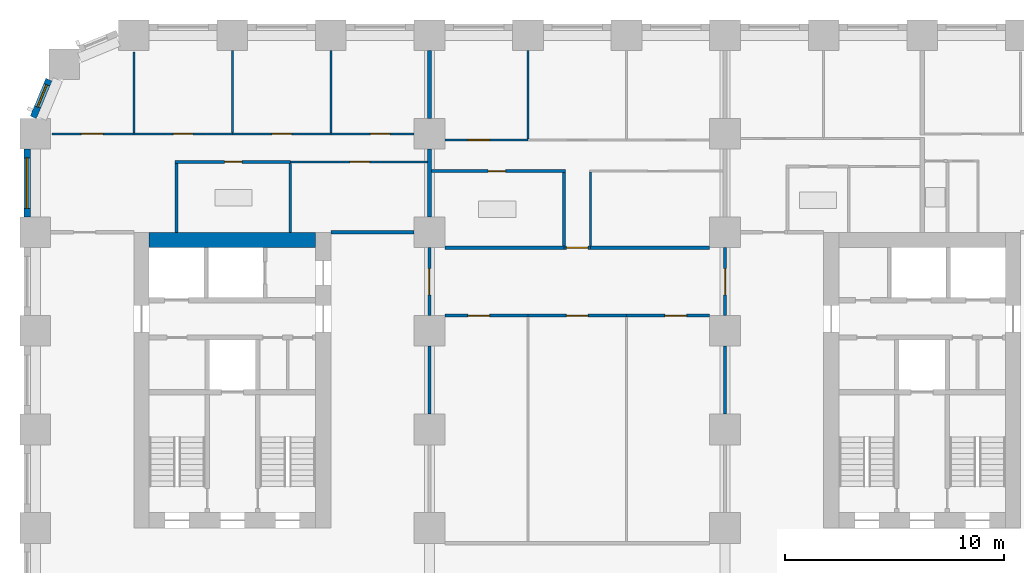
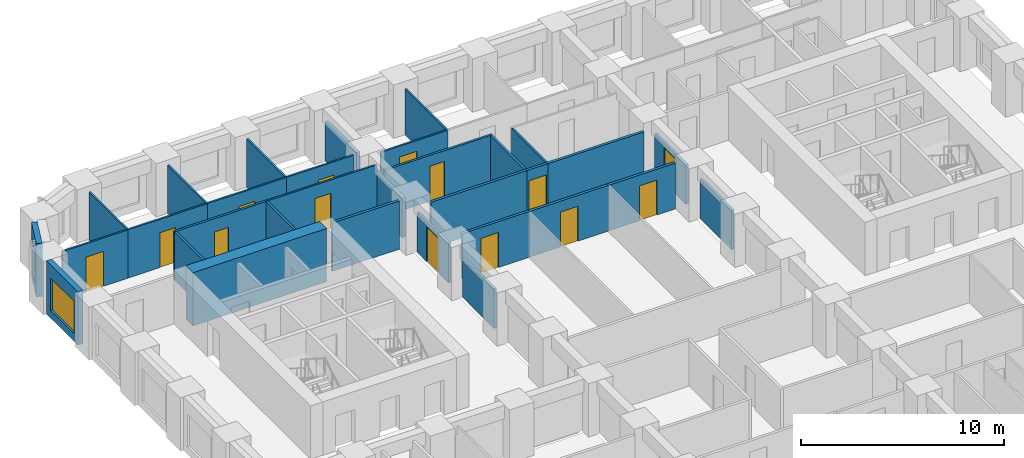
# One storey, part 7 of 13: 32 walls, 14 doors, 2 windows, 16 openings.
"""IFC4 building model written with IfcOpenShell, lengths in metres."""

from ifc_helpers import new_model, si_unit, direction, frame, frame_2d, origin, place, context, subcontext, project, spatial, rectangle, extrude, material, layer, layer_set, type_object, element, fill, save


model = new_model("IFC4")

# Units and contexts
model_context = context("Model", 3, precision=1e-05, world=origin(), true_north=direction((0.0, 1.0)))
body_context = subcontext(model_context, "Body", "Model", "MODEL_VIEW")
ifc_project = project(units=[si_unit("LENGTHUNIT", "METRE"), si_unit("AREAUNIT", "SQUARE_METRE"), si_unit("VOLUMEUNIT", "CUBIC_METRE"), si_unit("PLANEANGLEUNIT", "RADIAN"), si_unit("MASSUNIT", "GRAM", prefix="KILO")], contexts=[model_context])

# Site, building, storey
site_placement = place(None, origin())
site = spatial("IfcSite", under=ifc_project, at=site_placement, CompositionType="ELEMENT")
building_placement = place(site_placement, origin())
building = spatial("IfcBuilding", under=site, at=building_placement, Name="Girih Gate Residences", CompositionType="ELEMENT")
storey_placement = place(building_placement, frame((0.0, 0.0, 52.800048828125)))
storey = spatial("IfcBuildingStorey", under=building, at=storey_placement, Name="L13", CompositionType="ELEMENT", Elevation=52.800048828125)

# Walls
ifc_material_1 = material(Name="Gypsum board on steel studs", Category="steel")
ifc_layer_1 = layer(ifc_material_1, 0.14990234375)
ifc_layer_set_1 = layer_set([ifc_layer_1], Name="Compartment wall 150 mm")
wall_type_1 = type_object("IfcWallType", Name="Compartment wall 150 mm", PredefinedType="PARTITIONING", material=ifc_layer_set_1)
wall_1_placement = place(storey_placement, frame((13.5, 40.5, 0.0), z_axis=(0.0, 0.0, 1.0), x_axis=(1.0, 0.0, 0.0)))
element("IfcWall", 1, at=wall_1_placement, inside=storey, type_object=wall_type_1, Name="L13 partition", PredefinedType="PARTITIONING", context=body_context, shape_type="SweptSolid", body=[
    extrude(rectangle(XDim=3.800048828125, YDim=0.14990234375, at=frame_2d((1.89990234375, 0.0))), origin(), (0.0, 0.0, 1.0), 2.89990234375),
])
wall_2_placement = place(storey_placement, frame((18.699951171875, 39.800048828125, 0.0), z_axis=(0.0, 0.0, 1.0), x_axis=(1.0, 0.0, 0.0)))
element("IfcWall", 2, at=wall_2_placement, inside=storey, type_object=wall_type_1, Name="L13 partition", PredefinedType="PARTITIONING", context=body_context, shape_type="SweptSolid", body=[
    extrude(rectangle(XDim=5.449951171875, YDim=0.14990234375, at=frame_2d((2.72509765625, 0.0))), origin(), (0.0, 0.0, 1.0), 2.75),
])

# Wall, opening, door
wall_3_placement = place(storey_placement, frame((24.14990234375, 39.800048828125, 0.0), z_axis=(0.0, 0.0, 1.0), x_axis=(1.0, 0.0, 0.0)))
wall_3 = element("IfcWall", 3, at=wall_3_placement, inside=storey, type_object=wall_type_1, Name="L13 partition", PredefinedType="PARTITIONING", context=body_context, shape_type="SweptSolid", body=[
    extrude(rectangle(XDim=1.2001953125, YDim=0.14990234375, at=frame_2d((0.60009765625, 0.0))), origin(), (0.0, 0.0, 1.0), 2.75),
])
opening_1_placement = place(wall_3_placement, frame((0.10009765625, 0.0, 0.0)))
opening_1 = element("IfcOpeningElement", 4, at=opening_1_placement, cuts=wall_3, Name="Opening A13-044", PredefinedType="OPENING", context=body_context, shape_type="SweptSolid", body=[
    extrude(rectangle(XDim=1.0, YDim=2.10009765625, at=frame_2d((0.5, 1.050048828125))), frame((0.0, 0.0849609375, 0.0), z_axis=(0.0, -1.0, 0.0), x_axis=(1.0, 0.0, 0.0)), (0.0, 0.0, 1.0), 0.169921875),
])
ifc_material_2 = material(Name="Timber, fire-rated core", Category="wood")
door_type_1 = type_object("IfcDoorType", Name="Flat entrance door 1000x2100 FD30S", OperationType="NOTDEFINED", PredefinedType="DOOR", material=ifc_material_2)
door_1_placement = place(opening_1_placement, origin())
door_1 = element("IfcDoor", 5, at=door_1_placement, inside=storey, type_object=door_type_1, Name="Door A13-044", OperationType="SINGLE_SWING_RIGHT", OverallHeight=2.10009765625, OverallWidth=1.0, PredefinedType="DOOR", context=body_context, shape_type="SweptSolid", body=[
    extrude(rectangle(XDim=1.0, YDim=2.10009765625, at=frame_2d((0.5, 1.050048828125))), frame((0.0, 0.02490234375, 0.0), z_axis=(0.0, -1.0, 0.0), x_axis=(1.0, 0.0, 0.0)), (0.0, 0.0, 1.0), 0.050048828125),
])
fill(opening_1, door_1)

# Wall
wall_4_placement = place(storey_placement, frame((25.35009765625, 39.800048828125, 0.0), z_axis=(0.0, 0.0, 1.0), x_axis=(1.0, 0.0, 0.0)))
element("IfcWall", 6, at=wall_4_placement, inside=storey, type_object=wall_type_1, Name="L13 partition", PredefinedType="PARTITIONING", context=body_context, shape_type="SweptSolid", body=[
    extrude(rectangle(XDim=5.449951171875, YDim=0.14990234375, at=frame_2d((2.72509765625, 0.0))), origin(), (0.0, 0.0, 1.0), 2.75),
])

# Wall, opening, door
wall_5_placement = place(storey_placement, frame((22.5, 36.699951171875, 0.0), z_axis=(0.0, 0.0, 1.0), x_axis=(-1.0, 0.0, 0.0)))
wall_5 = element("IfcWall", 7, at=wall_5_placement, inside=storey, type_object=wall_type_1, Name="L13 partition", PredefinedType="PARTITIONING", context=body_context, shape_type="SweptSolid", body=[
    extrude(rectangle(XDim=3.800048828125, YDim=0.14990234375, at=frame_2d((1.89990234375, 0.0))), origin(), (0.0, 0.0, 1.0), 2.75),
])
opening_2_placement = place(wall_5_placement, frame((1.75, 0.0, 0.0)))
opening_2 = element("IfcOpeningElement", 8, at=opening_2_placement, cuts=wall_5, Name="Opening A13-045", PredefinedType="OPENING", context=body_context, shape_type="SweptSolid", body=[
    extrude(rectangle(XDim=1.0, YDim=2.10009765625, at=frame_2d((0.5, 1.050048828125))), frame((0.0, 0.0849609375, 0.0), z_axis=(0.0, -1.0, 0.0), x_axis=(1.0, 0.0, 0.0)), (0.0, 0.0, 1.0), 0.169921875),
])
door_type_2 = type_object("IfcDoorType", Name="Amenity room door 1000x2100 FD30S", OperationType="NOTDEFINED", PredefinedType="DOOR", material=ifc_material_2)
door_2_placement = place(opening_2_placement, origin())
door_2 = element("IfcDoor", 9, at=door_2_placement, inside=storey, type_object=door_type_2, Name="Door A13-045", OperationType="SINGLE_SWING_RIGHT", OverallHeight=2.10009765625, OverallWidth=1.0, PredefinedType="DOOR", context=body_context, shape_type="SweptSolid", body=[
    extrude(rectangle(XDim=1.0, YDim=2.10009765625, at=frame_2d((0.5, 1.050048828125))), frame((0.0, 0.02490234375, 0.0), z_axis=(0.0, -1.0, 0.0), x_axis=(1.0, 0.0, 0.0)), (0.0, 0.0, 1.0), 0.050048828125),
])
fill(opening_2, door_2)

wall_6_placement = place(storey_placement, frame((27.0, 36.699951171875, 0.0), z_axis=(0.0, 0.0, 1.0), x_axis=(-1.0, 0.0, 0.0)))
wall_6 = element("IfcWall", 10, at=wall_6_placement, inside=storey, type_object=wall_type_1, Name="L13 partition", PredefinedType="PARTITIONING", context=body_context, shape_type="SweptSolid", body=[
    extrude(rectangle(XDim=4.5, YDim=0.14990234375, at=frame_2d((2.25, 0.0))), origin(), (0.0, 0.0, 1.0), 2.75),
])
opening_3_placement = place(wall_6_placement, frame((1.75, 0.0, 0.0)))
opening_3 = element("IfcOpeningElement", 11, at=opening_3_placement, cuts=wall_6, Name="Opening A13-046", PredefinedType="OPENING", context=body_context, shape_type="SweptSolid", body=[
    extrude(rectangle(XDim=1.0, YDim=2.10009765625, at=frame_2d((0.5, 1.050048828125))), frame((0.0, 0.0849609375, 0.0), z_axis=(0.0, -1.0, 0.0), x_axis=(1.0, 0.0, 0.0)), (0.0, 0.0, 1.0), 0.169921875),
])
door_3_placement = place(opening_3_placement, origin())
door_3 = element("IfcDoor", 12, at=door_3_placement, inside=storey, type_object=door_type_2, Name="Door A13-046", OperationType="SINGLE_SWING_RIGHT", OverallHeight=2.10009765625, OverallWidth=1.0, PredefinedType="DOOR", context=body_context, shape_type="SweptSolid", body=[
    extrude(rectangle(XDim=1.0, YDim=2.10009765625, at=frame_2d((0.5, 1.050048828125))), frame((0.0, 0.02490234375, 0.0), z_axis=(0.0, -1.0, 0.0), x_axis=(1.0, 0.0, 0.0)), (0.0, 0.0, 1.0), 0.050048828125),
])
fill(opening_3, door_3)

wall_7_placement = place(storey_placement, frame((30.800048828125, 36.699951171875, 0.0), z_axis=(0.0, 0.0, 1.0), x_axis=(-1.0, 0.0, 0.0)))
wall_7 = element("IfcWall", 13, at=wall_7_placement, inside=storey, type_object=wall_type_1, Name="L13 partition", PredefinedType="PARTITIONING", context=body_context, shape_type="SweptSolid", body=[
    extrude(rectangle(XDim=3.800048828125, YDim=0.14990234375, at=frame_2d((1.89990234375, 0.0))), origin(), (0.0, 0.0, 1.0), 2.75),
])
opening_4_placement = place(wall_7_placement, frame((1.050048828125, 0.0, 0.0)))
opening_4 = element("IfcOpeningElement", 14, at=opening_4_placement, cuts=wall_7, Name="Opening A13-047", PredefinedType="OPENING", context=body_context, shape_type="SweptSolid", body=[
    extrude(rectangle(XDim=1.0, YDim=2.10009765625, at=frame_2d((0.5, 1.050048828125))), frame((0.0, 0.0849609375, 0.0), z_axis=(0.0, -1.0, 0.0), x_axis=(1.0, 0.0, 0.0)), (0.0, 0.0, 1.0), 0.169921875),
])
door_4_placement = place(opening_4_placement, origin())
door_4 = element("IfcDoor", 15, at=door_4_placement, inside=storey, type_object=door_type_2, Name="Door A13-047", OperationType="SINGLE_SWING_LEFT", OverallHeight=2.10009765625, OverallWidth=1.0, PredefinedType="DOOR", context=body_context, shape_type="SweptSolid", body=[
    extrude(rectangle(XDim=1.0, YDim=2.10009765625, at=frame_2d((0.5, 1.050048828125))), frame((0.0, 0.02490234375, 0.0), z_axis=(0.0, -1.0, 0.0), x_axis=(1.0, 0.0, 0.0)), (0.0, 0.0, 1.0), 0.050048828125),
])
fill(opening_4, door_4)

wall_8_placement = place(storey_placement, frame((31.5, 36.699951171875, 0.0), z_axis=(0.0, 0.0, 1.0), x_axis=(0.0, 1.0, 0.0)))
wall_8 = element("IfcWall", 16, at=wall_8_placement, inside=storey, type_object=wall_type_1, Name="L13 partition", PredefinedType="PARTITIONING", context=body_context, shape_type="SweptSolid", body=[
    extrude(rectangle(XDim=3.10009765625, YDim=0.14990234375, at=frame_2d((1.550048828125, 0.0))), origin(), (0.0, 0.0, 1.0), 2.3798828125),
])
opening_5_placement = place(wall_8_placement, frame((0.949951171875, 0.0, 0.0)))
opening_5 = element("IfcOpeningElement", 17, at=opening_5_placement, cuts=wall_8, Name="Opening A13-048", PredefinedType="OPENING", context=body_context, shape_type="SweptSolid", body=[
    extrude(rectangle(XDim=1.199951171875, YDim=2.10009765625, at=frame_2d((0.60009765625, 1.050048828125))), frame((0.0, 0.0849609375, 0.0), z_axis=(0.0, -1.0, 0.0), x_axis=(1.0, 0.0, 0.0)), (0.0, 0.0, 1.0), 0.169921875),
])
door_type_3 = type_object("IfcDoorType", Name="Corridor fire door 1200x2100 FD30S", OperationType="NOTDEFINED", PredefinedType="DOOR", material=ifc_material_2)
door_5_placement = place(opening_5_placement, origin())
door_5 = element("IfcDoor", 18, at=door_5_placement, inside=storey, type_object=door_type_3, Name="Door A13-048", OperationType="SINGLE_SWING_LEFT", OverallHeight=2.10009765625, OverallWidth=1.199951171875, PredefinedType="DOOR", context=body_context, shape_type="SweptSolid", body=[
    extrude(rectangle(XDim=1.199951171875, YDim=2.10009765625, at=frame_2d((0.60009765625, 1.050048828125))), frame((0.0, 0.02490234375, 0.0), z_axis=(0.0, -1.0, 0.0), x_axis=(1.0, 0.0, 0.0)), (0.0, 0.0, 1.0), 0.050048828125),
])
fill(opening_5, door_5)

wall_9_placement = place(storey_placement, frame((18.0, 39.800048828125, 0.0), z_axis=(0.0, 0.0, 1.0), x_axis=(0.0, -1.0, 0.0)))
wall_9 = element("IfcWall", 19, at=wall_9_placement, inside=storey, type_object=wall_type_1, Name="L13 partition", PredefinedType="PARTITIONING", context=body_context, shape_type="SweptSolid", body=[
    extrude(rectangle(XDim=3.10009765625, YDim=0.14990234375, at=frame_2d((1.550048828125, 0.0))), origin(), (0.0, 0.0, 1.0), 2.3798828125),
])
opening_6_placement = place(wall_9_placement, frame((0.949951171875, 0.0, 0.0)))
opening_6 = element("IfcOpeningElement", 20, at=opening_6_placement, cuts=wall_9, Name="Opening A13-049", PredefinedType="OPENING", context=body_context, shape_type="SweptSolid", body=[
    extrude(rectangle(XDim=1.199951171875, YDim=2.10009765625, at=frame_2d((0.60009765625, 1.050048828125))), frame((0.0, 0.0849609375, 0.0), z_axis=(0.0, -1.0, 0.0), x_axis=(1.0, 0.0, 0.0)), (0.0, 0.0, 1.0), 0.169921875),
])
door_6_placement = place(opening_6_placement, origin())
door_6 = element("IfcDoor", 21, at=door_6_placement, inside=storey, type_object=door_type_3, Name="Door A13-049", OperationType="SINGLE_SWING_LEFT", OverallHeight=2.10009765625, OverallWidth=1.199951171875, PredefinedType="DOOR", context=body_context, shape_type="SweptSolid", body=[
    extrude(rectangle(XDim=1.199951171875, YDim=2.10009765625, at=frame_2d((0.60009765625, 1.050048828125))), frame((0.0, 0.02490234375, 0.0), z_axis=(0.0, -1.0, 0.0), x_axis=(1.0, 0.0, 0.0)), (0.0, 0.0, 1.0), 0.050048828125),
])
fill(opening_6, door_6)

# Walls
for number, where, z_axis, x_axis, name in (
    (22, (18.0, 32.199951171875, 0.0), (0.0, 0.0, 1.0), (0.0, 1.0, 0.0), "L13 partition"),
    (23, (31.5, 32.199951171875, 0.0), (0.0, 0.0, 1.0), (0.0, 1.0, 0.0), "L13 partition"),
):
    element("IfcWall", number, at=place(storey_placement, frame(where, z_axis=z_axis, x_axis=x_axis)), inside=storey, type_object=wall_type_1, Name=name, PredefinedType="PARTITIONING", context=body_context, shape_type="SweptSolid", body=[
        extrude(rectangle(XDim=3.10009765625, YDim=0.14990234375, at=frame_2d((1.550048828125, 0.0))), origin(), (0.0, 0.0, 1.0), 2.3798828125),
    ])
ifc_material_3 = material(Name="Concrete C60/75", Category="concrete")
ifc_layer_2 = layer(ifc_material_3, 0.699951171875)
ifc_layer_set_2 = layer_set([ifc_layer_2], Name="Core wall RC 700 Concrete C60/75")
wall_type_2 = type_object("IfcWallType", Name="Core wall RC 700 Concrete C60/75", PredefinedType="SOLIDWALL", material=ifc_layer_set_2)
wall_10_placement = place(storey_placement, frame((5.199951171875, 40.14990234375, 0.0), z_axis=(0.0, 0.0, 1.0), x_axis=(1.0, 0.0, 0.0)))
element("IfcWall", 24, at=wall_10_placement, inside=storey, type_object=wall_type_2, Name="Core wall W-N L13", PredefinedType="SOLIDWALL", context=body_context, shape_type="SweptSolid", body=[
    extrude(rectangle(XDim=7.60009765625, YDim=0.699951171875, at=frame_2d((3.800048828125, 0.0))), origin(), (0.0, 0.0, 1.0), 3.199951171875),
])
ifc_layer_3 = layer(ifc_material_1, 0.10009765625)
ifc_layer_set_3 = layer_set([ifc_layer_3], Name="Partition 100 mm")
wall_type_3 = type_object("IfcWallType", Name="Partition 100 mm", PredefinedType="PARTITIONING", material=ifc_layer_set_3)
wall_11_placement = place(storey_placement, frame((9.0, 45.050048828125, 0.0), z_axis=(0.0, 0.0, 1.0), x_axis=(0.0, 1.0, 0.0)))
element("IfcWall", 25, at=wall_11_placement, inside=storey, type_object=wall_type_3, Name="L13 partition", PredefinedType="PARTITIONING", context=body_context, shape_type="SweptSolid", body=[
    extrude(rectangle(XDim=3.75, YDim=0.10009765625, at=frame_2d((1.875, 0.0))), origin(), (0.0, 0.0, 1.0), 2.89990234375),
])

# Wall, opening, door
wall_12_placement = place(storey_placement, frame((4.5, 45.0, 0.0), z_axis=(0.0, 0.0, 1.0), x_axis=(1.0, 0.0, 0.0)))
wall_12 = element("IfcWall", 26, at=wall_12_placement, inside=storey, type_object=wall_type_3, Name="L13 partition", PredefinedType="PARTITIONING", context=body_context, shape_type="SweptSolid", body=[
    extrude(rectangle(XDim=4.5, YDim=0.10009765625, at=frame_2d((2.25, 0.0))), origin(), (0.0, 0.0, 1.0), 2.89990234375),
])
opening_7_placement = place(wall_12_placement, frame((1.800048828125, 0.0, 0.0)))
opening_7 = element("IfcOpeningElement", 27, at=opening_7_placement, cuts=wall_12, Name="Opening A13-011", PredefinedType="OPENING", context=body_context, shape_type="SweptSolid", body=[
    extrude(rectangle(XDim=0.89990234375, YDim=2.10009765625, at=frame_2d((0.449951171875, 1.050048828125))), frame((0.0, 0.06005859375, 0.0), z_axis=(0.0, -1.0, 0.0), x_axis=(1.0, 0.0, 0.0)), (0.0, 0.0, 1.0), 0.1201171875),
])
ifc_material_4 = material(Name="Timber", Category="wood")
door_type_4 = type_object("IfcDoorType", Name="Bedroom door 900x2100", OperationType="NOTDEFINED", PredefinedType="DOOR", material=ifc_material_4)
door_7_placement = place(opening_7_placement, origin())
door_7 = element("IfcDoor", 28, at=door_7_placement, inside=storey, type_object=door_type_4, Name="Door A13-011", OperationType="SINGLE_SWING_RIGHT", OverallHeight=2.10009765625, OverallWidth=0.89990234375, PredefinedType="DOOR", context=body_context, shape_type="SweptSolid", body=[
    extrude(rectangle(XDim=0.89990234375, YDim=2.10009765625, at=frame_2d((0.449951171875, 1.050048828125))), frame((0.0, 0.02490234375, 0.0), z_axis=(0.0, -1.0, 0.0), x_axis=(1.0, 0.0, 0.0)), (0.0, 0.0, 1.0), 0.050048828125),
])
fill(opening_7, door_7)

# Walls
wall_13_placement = place(storey_placement, frame((4.5, 45.050048828125, 0.0), z_axis=(0.0, 0.0, 1.0), x_axis=(0.0, 1.0, 0.0)))
element("IfcWall", 29, at=wall_13_placement, inside=storey, type_object=wall_type_3, Name="L13 partition", PredefinedType="PARTITIONING", context=body_context, shape_type="SweptSolid", body=[
    extrude(rectangle(XDim=3.6923828125, YDim=0.10009765625, at=frame_2d((1.84619140625, 0.0))), origin(), (0.0, 0.0, 1.0), 2.89990234375),
])
wall_14_placement = place(storey_placement, frame((13.5, 45.050048828125, 0.0), z_axis=(0.0, 0.0, 1.0), x_axis=(0.0, 1.0, 0.0)))
element("IfcWall", 30, at=wall_14_placement, inside=storey, type_object=wall_type_3, Name="L13 partition", PredefinedType="PARTITIONING", context=body_context, shape_type="SweptSolid", body=[
    extrude(rectangle(XDim=3.75, YDim=0.10009765625, at=frame_2d((1.875, 0.0))), origin(), (0.0, 0.0, 1.0), 2.89990234375),
])

# Wall, opening, door
wall_15_placement = place(storey_placement, frame((9.0, 45.0, 0.0), z_axis=(0.0, 0.0, 1.0), x_axis=(1.0, 0.0, 0.0)))
wall_15 = element("IfcWall", 31, at=wall_15_placement, inside=storey, type_object=wall_type_3, Name="L13 partition", PredefinedType="PARTITIONING", context=body_context, shape_type="SweptSolid", body=[
    extrude(rectangle(XDim=4.5, YDim=0.10009765625, at=frame_2d((2.25, 0.0))), origin(), (0.0, 0.0, 1.0), 2.89990234375),
])
opening_8_placement = place(wall_15_placement, frame((1.800048828125, 0.0, 0.0)))
opening_8 = element("IfcOpeningElement", 32, at=opening_8_placement, cuts=wall_15, Name="Opening A13-012", PredefinedType="OPENING", context=body_context, shape_type="SweptSolid", body=[
    extrude(rectangle(XDim=0.89990234375, YDim=2.10009765625, at=frame_2d((0.449951171875, 1.050048828125))), frame((0.0, 0.06005859375, 0.0), z_axis=(0.0, -1.0, 0.0), x_axis=(1.0, 0.0, 0.0)), (0.0, 0.0, 1.0), 0.1201171875),
])
door_8_placement = place(opening_8_placement, origin())
door_8 = element("IfcDoor", 33, at=door_8_placement, inside=storey, type_object=door_type_4, Name="Door A13-012", OperationType="SINGLE_SWING_LEFT", OverallHeight=2.10009765625, OverallWidth=0.89990234375, PredefinedType="DOOR", context=body_context, shape_type="SweptSolid", body=[
    extrude(rectangle(XDim=0.89990234375, YDim=2.10009765625, at=frame_2d((0.449951171875, 1.050048828125))), frame((0.0, 0.02490234375, 0.0), z_axis=(0.0, -1.0, 0.0), x_axis=(1.0, 0.0, 0.0)), (0.0, 0.0, 1.0), 0.050048828125),
])
fill(opening_8, door_8)

wall_16_placement = place(storey_placement, frame((13.5, 45.0, 0.0), z_axis=(0.0, 0.0, 1.0), x_axis=(1.0, 0.0, 0.0)))
wall_16 = element("IfcWall", 34, at=wall_16_placement, inside=storey, type_object=wall_type_3, Name="L13 partition", PredefinedType="PARTITIONING", context=body_context, shape_type="SweptSolid", body=[
    extrude(rectangle(XDim=3.800048828125, YDim=0.10009765625, at=frame_2d((1.89990234375, 0.0))), origin(), (0.0, 0.0, 1.0), 2.89990234375),
])
opening_9_placement = place(wall_16_placement, frame((1.800048828125, 0.0, 0.0)))
opening_9 = element("IfcOpeningElement", 35, at=opening_9_placement, cuts=wall_16, Name="Opening A13-013", PredefinedType="OPENING", context=body_context, shape_type="SweptSolid", body=[
    extrude(rectangle(XDim=0.89990234375, YDim=2.10009765625, at=frame_2d((0.449951171875, 1.050048828125))), frame((0.0, 0.06005859375, 0.0), z_axis=(0.0, -1.0, 0.0), x_axis=(1.0, 0.0, 0.0)), (0.0, 0.0, 1.0), 0.1201171875),
])
door_9_placement = place(opening_9_placement, origin())
door_9 = element("IfcDoor", 36, at=door_9_placement, inside=storey, type_object=door_type_4, Name="Door A13-013", OperationType="SINGLE_SWING_RIGHT", OverallHeight=2.10009765625, OverallWidth=0.89990234375, PredefinedType="DOOR", context=body_context, shape_type="SweptSolid", body=[
    extrude(rectangle(XDim=0.89990234375, YDim=2.10009765625, at=frame_2d((0.449951171875, 1.050048828125))), frame((0.0, 0.02490234375, 0.0), z_axis=(0.0, -1.0, 0.0), x_axis=(1.0, 0.0, 0.0)), (0.0, 0.0, 1.0), 0.050048828125),
])
fill(opening_9, door_9)

wall_17_placement = place(storey_placement, frame((17.89990234375, 43.719970703125, 0.0), z_axis=(0.0, 0.0, 1.0), x_axis=(-1.0, 0.0, 0.0)))
wall_17 = element("IfcWall", 37, at=wall_17_placement, inside=storey, type_object=wall_type_3, Name="L13 partition", PredefinedType="PARTITIONING", context=body_context, shape_type="SweptSolid", body=[
    extrude(rectangle(XDim=6.2548828125, YDim=0.10009765625, at=frame_2d((3.12744140625, 0.0))), origin(), (0.0, 0.0, 1.0), 2.89990234375),
])
opening_10_placement = place(wall_17_placement, frame((2.62744140625, 0.0, 0.0)))
opening_10 = element("IfcOpeningElement", 38, at=opening_10_placement, cuts=wall_17, Name="Opening A13-014", PredefinedType="OPENING", context=body_context, shape_type="SweptSolid", body=[
    extrude(rectangle(XDim=0.89990234375, YDim=2.10009765625, at=frame_2d((0.449951171875, 1.050048828125))), frame((0.0, 0.06005859375, 0.0), z_axis=(0.0, -1.0, 0.0), x_axis=(1.0, 0.0, 0.0)), (0.0, 0.0, 1.0), 0.1201171875),
])
door_type_5 = type_object("IfcDoorType", Name="Kitchen door 900x2100", OperationType="NOTDEFINED", PredefinedType="DOOR", material=ifc_material_4)
door_10_placement = place(opening_10_placement, origin())
door_10 = element("IfcDoor", 39, at=door_10_placement, inside=storey, type_object=door_type_5, Name="Door A13-014", OperationType="SINGLE_SWING_LEFT", OverallHeight=2.10009765625, OverallWidth=0.89990234375, PredefinedType="DOOR", context=body_context, shape_type="SweptSolid", body=[
    extrude(rectangle(XDim=0.89990234375, YDim=2.10009765625, at=frame_2d((0.449951171875, 1.050048828125))), frame((0.0, 0.02490234375, 0.0), z_axis=(0.0, -1.0, 0.0), x_axis=(1.0, 0.0, 0.0)), (0.0, 0.0, 1.0), 0.050048828125),
])
fill(opening_10, door_10)

wall_18_placement = place(storey_placement, frame((0.757568359375, 45.0, 0.0), z_axis=(0.0, 0.0, 1.0), x_axis=(1.0, 0.0, 0.0)))
wall_18 = element("IfcWall", 40, at=wall_18_placement, inside=storey, type_object=wall_type_3, Name="L13 partition", PredefinedType="PARTITIONING", context=body_context, shape_type="SweptSolid", body=[
    extrude(rectangle(XDim=3.742431640625, YDim=0.10009765625, at=frame_2d((1.87109375, 0.0))), origin(), (0.0, 0.0, 1.0), 2.89990234375),
])
opening_11_placement = place(wall_18_placement, frame((1.34228515625, 0.0, 0.0)))
opening_11 = element("IfcOpeningElement", 41, at=opening_11_placement, cuts=wall_18, Name="Opening A13-015", PredefinedType="OPENING", context=body_context, shape_type="SweptSolid", body=[
    extrude(rectangle(XDim=1.0, YDim=2.10009765625, at=frame_2d((0.5, 1.050048828125))), frame((0.0, 0.06005859375, 0.0), z_axis=(0.0, -1.0, 0.0), x_axis=(1.0, 0.0, 0.0)), (0.0, 0.0, 1.0), 0.1201171875),
])
door_type_6 = type_object("IfcDoorType", Name="Living room door 1000x2100", OperationType="NOTDEFINED", PredefinedType="DOOR", material=ifc_material_4)
door_11_placement = place(opening_11_placement, origin())
door_11 = element("IfcDoor", 42, at=door_11_placement, inside=storey, type_object=door_type_6, Name="Door A13-015", OperationType="SINGLE_SWING_LEFT", OverallHeight=2.10009765625, OverallWidth=1.0, PredefinedType="DOOR", context=body_context, shape_type="SweptSolid", body=[
    extrude(rectangle(XDim=1.0, YDim=2.10009765625, at=frame_2d((0.5, 1.050048828125))), frame((0.0, 0.02490234375, 0.0), z_axis=(0.0, -1.0, 0.0), x_axis=(1.0, 0.0, 0.0)), (0.0, 0.0, 1.0), 0.050048828125),
])
fill(opening_11, door_11)

# Walls
wall_19_placement = place(storey_placement, frame((22.5, 44.77001953125, 0.0), z_axis=(0.0, 0.0, 1.0), x_axis=(0.0, 1.0, 0.0)))
element("IfcWall", 43, at=wall_19_placement, inside=storey, type_object=wall_type_3, Name="L13 partition", PredefinedType="PARTITIONING", context=body_context, shape_type="SweptSolid", body=[
    extrude(rectangle(XDim=4.030029296875, YDim=0.10009765625, at=frame_2d((2.01513671875, 0.0))), origin(), (0.0, 0.0, 1.0), 2.75),
])
wall_20_placement = place(storey_placement, frame((25.35009765625, 39.875, 0.0), z_axis=(0.0, 0.0, 1.0), x_axis=(0.0, 1.0, 0.0)))
element("IfcWall", 44, at=wall_20_placement, inside=storey, type_object=wall_type_3, Name="L13 partition", PredefinedType="PARTITIONING", context=body_context, shape_type="SweptSolid", body=[
    extrude(rectangle(XDim=3.375, YDim=0.10009765625, at=frame_2d((1.6875, 0.0))), origin(), (0.0, 0.0, 1.0), 2.75),
])

# Wall, opening, door
wall_21_placement = place(storey_placement, frame((18.699951171875, 44.719970703125, 0.0), z_axis=(0.0, 0.0, 1.0), x_axis=(1.0, 0.0, 0.0)))
wall_21 = element("IfcWall", 45, at=wall_21_placement, inside=storey, type_object=wall_type_3, Name="L13 partition", PredefinedType="PARTITIONING", context=body_context, shape_type="SweptSolid", body=[
    extrude(rectangle(XDim=3.800048828125, YDim=0.10009765625, at=frame_2d((1.89990234375, 0.0))), origin(), (0.0, 0.0, 1.0), 2.75),
])
opening_12_placement = place(wall_21_placement, frame((1.050048828125, 0.0, 0.0)))
opening_12 = element("IfcOpeningElement", 46, at=opening_12_placement, cuts=wall_21, Name="Opening A13-043", PredefinedType="OPENING", context=body_context, shape_type="SweptSolid", body=[
    extrude(rectangle(XDim=1.0, YDim=2.10009765625, at=frame_2d((0.5, 1.050048828125))), frame((0.0, 0.06005859375, 0.0), z_axis=(0.0, -1.0, 0.0), x_axis=(1.0, 0.0, 0.0)), (0.0, 0.0, 1.0), 0.1201171875),
])
door_12_placement = place(opening_12_placement, origin())
door_12 = element("IfcDoor", 47, at=door_12_placement, inside=storey, type_object=door_type_6, Name="Door A13-043", OperationType="SINGLE_SWING_LEFT", OverallHeight=2.10009765625, OverallWidth=1.0, PredefinedType="DOOR", context=body_context, shape_type="SweptSolid", body=[
    extrude(rectangle(XDim=1.0, YDim=2.10009765625, at=frame_2d((0.5, 1.050048828125))), frame((0.0, 0.02490234375, 0.0), z_axis=(0.0, -1.0, 0.0), x_axis=(1.0, 0.0, 0.0)), (0.0, 0.0, 1.0), 0.050048828125),
])
fill(opening_12, door_12)

# Walls
ifc_layer_4 = layer(ifc_material_1, 0.199951171875)
ifc_layer_set_4 = layer_set([ifc_layer_4], Name="Party wall 200 mm")
wall_type_4 = type_object("IfcWallType", Name="Party wall 200 mm", PredefinedType="PARTITIONING", material=ifc_layer_set_4)
for number, where, z_axis, x_axis, name in (
    (48, (18.0, 45.699951171875, 0.0), (0.0, 0.0, 1.0), (0.0, 1.0, 0.0), "L13 partition"),
    (49, (18.0, 41.199951171875, 0.0), (0.0, 0.0, 1.0), (0.0, 1.0, 0.0), "L13 partition"),
):
    element("IfcWall", number, at=place(storey_placement, frame(where, z_axis=z_axis, x_axis=x_axis)), inside=storey, type_object=wall_type_4, Name=name, PredefinedType="PARTITIONING", context=body_context, shape_type="SweptSolid", body=[
        extrude(rectangle(XDim=3.10009765625, YDim=0.199951171875, at=frame_2d((1.550048828125, 0.0))), origin(), (0.0, 0.0, 1.0), 2.3798828125),
    ])

# Wall, opening, window
ifc_material_5 = material(Name="Precast concrete C50/60", Category="concrete")
ifc_layer_5 = layer(ifc_material_5, 0.080078125, Name="Outer leaf")
ifc_material_6 = material(Name="Rigid PIR insulation")
ifc_layer_6 = layer(ifc_material_6, 0.14990234375, Name="Insulation")
ifc_material_7 = material(Name="Precast concrete C40/50", Category="concrete")
ifc_layer_7 = layer(ifc_material_7, 0.070068359375, Name="Inner leaf")
ifc_layer_set_5 = layer_set([ifc_layer_5, ifc_layer_6, ifc_layer_7], Name="Precast concrete C50/60 external wall 300")
wall_type_5 = type_object("IfcWallType", Name="Precast concrete C50/60 external wall 300", PredefinedType="SOLIDWALL", material=ifc_layer_set_5)
wall_22_placement = place(storey_placement, frame((-0.09228515625, 45.75732421875, 0.0), z_axis=(0.0, 0.0, 1.0), x_axis=(0.382737135771, 0.923857286003, 0.0)))
wall_22 = element("IfcWall", 50, at=wall_22_placement, inside=storey, type_object=wall_type_5, Name="External wall NW0013_0482.0", PredefinedType="SOLIDWALL", context=body_context, shape_type="SweptSolid", body=[
    extrude(rectangle(XDim=1.865234375, YDim=0.300048828125, at=frame_2d((0.9326171875, 0.0))), origin(), (0.0, 0.0, 1.0), 3.199951171875),
])
opening_13_placement = place(wall_22_placement, frame((0.507568359375, 0.0, 0.449951171875)))
opening_13 = element("IfcOpeningElement", 51, at=opening_13_placement, cuts=wall_22, Name="Opening W-2C", PredefinedType="OPENING", context=body_context, shape_type="SweptSolid", body=[
    extrude(rectangle(XDim=1.10009765625, YDim=1.949951171875, at=frame_2d((0.550048828125, 0.97509765625))), frame((0.0, 0.159912109375, 0.0), z_axis=(0.0, -1.0, 0.0), x_axis=(1.0, 0.0, 0.0)), (0.0, 0.0, 1.0), 0.320068359375),
])
ifc_material_8 = material(Name="Double glazing in aluminium frame", Category="aluminium")
window_type_1 = type_object("IfcWindowType", Name="Window W-2C 1100x1950", PartitioningType="SINGLE_PANEL", PredefinedType="WINDOW", material=ifc_material_8)
window_1_placement = place(opening_13_placement, origin())
window_1 = element("IfcWindow", 52, at=window_1_placement, inside=storey, type_object=window_type_1, Name="Window W-2C NW0013_0482.0", OverallHeight=1.949951171875, OverallWidth=1.10009765625, PartitioningType="SINGLE_PANEL", PredefinedType="WINDOW", context=body_context, shape_type="SweptSolid", body=[
    extrude(rectangle(XDim=1.10009765625, YDim=1.949951171875, at=frame_2d((0.550048828125, 0.97509765625))), frame((0.0, 0.030029296875, 0.0), z_axis=(0.0, -1.0, 0.0), x_axis=(1.0, 0.0, 0.0)), (0.0, 0.0, 1.0), 0.06005859375),
])
fill(opening_13, window_1)

wall_23_placement = place(storey_placement, frame((-0.375, 41.199951171875, 0.0), z_axis=(0.0, 0.0, 1.0), x_axis=(0.0, 1.0, 0.0)))
wall_23 = element("IfcWall", 53, at=wall_23_placement, inside=storey, type_object=wall_type_5, Name="External wall W0000_0450.0", PredefinedType="SOLIDWALL", context=body_context, shape_type="SweptSolid", body=[
    extrude(rectangle(XDim=3.10009765625, YDim=0.300048828125, at=frame_2d((1.550048828125, 0.0))), origin(), (0.0, 0.0, 1.0), 3.199951171875),
])
opening_14_placement = place(wall_23_placement, frame((0.39990234375, 0.0, 0.449951171875)))
opening_14 = element("IfcOpeningElement", 54, at=opening_14_placement, cuts=wall_23, Name="Opening W-1", PredefinedType="OPENING", context=body_context, shape_type="SweptSolid", body=[
    extrude(rectangle(XDim=2.300048828125, YDim=1.949951171875, at=frame_2d((1.14990234375, 0.97509765625))), frame((0.0, 0.159912109375, 0.0), z_axis=(0.0, -1.0, 0.0), x_axis=(1.0, 0.0, 0.0)), (0.0, 0.0, 1.0), 0.320068359375),
])
window_type_2 = type_object("IfcWindowType", Name="Window W-1 2300x1950", PartitioningType="SINGLE_PANEL", PredefinedType="WINDOW", material=ifc_material_8)
window_2_placement = place(opening_14_placement, origin())
window_2 = element("IfcWindow", 55, at=window_2_placement, inside=storey, type_object=window_type_2, Name="Window W-1 W0000_0450.0", OverallHeight=1.949951171875, OverallWidth=2.300048828125, PartitioningType="SINGLE_PANEL", PredefinedType="WINDOW", context=body_context, shape_type="SweptSolid", body=[
    extrude(rectangle(XDim=2.300048828125, YDim=1.949951171875, at=frame_2d((1.14990234375, 0.97509765625))), frame((0.0, 0.030029296875, 0.0), z_axis=(0.0, -1.0, 0.0), x_axis=(1.0, 0.0, 0.0)), (0.0, 0.0, 1.0), 0.06005859375),
])
fill(opening_14, window_2)

# Wall
ifc_layer_8 = layer(ifc_material_1, 0.125)
ifc_layer_set_6 = layer_set([ifc_layer_8], Name="Wet room wall 125 mm")
wall_type_6 = type_object("IfcWallType", Name="Wet room wall 125 mm", PredefinedType="PARTITIONING", material=ifc_layer_set_6)
wall_24_placement = place(storey_placement, frame((6.449951171875, 40.5, 0.0), z_axis=(0.0, 0.0, 1.0), x_axis=(0.0, 1.0, 0.0)))
element("IfcWall", 56, at=wall_24_placement, inside=storey, type_object=wall_type_6, Name="L13 partition", PredefinedType="PARTITIONING", context=body_context, shape_type="SweptSolid", body=[
    extrude(rectangle(XDim=3.157470703125, YDim=0.125, at=frame_2d((1.57861328125, 0.0))), origin(), (0.0, 0.0, 1.0), 2.89990234375),
])

# Wall, opening, door
wall_25_placement = place(storey_placement, frame((11.64501953125, 43.719970703125, 0.0), z_axis=(0.0, 0.0, 1.0), x_axis=(-1.0, 0.0, 0.0)))
wall_25 = element("IfcWall", 57, at=wall_25_placement, inside=storey, type_object=wall_type_6, Name="L13 partition", PredefinedType="PARTITIONING", context=body_context, shape_type="SweptSolid", body=[
    extrude(rectangle(XDim=5.257568359375, YDim=0.125, at=frame_2d((2.62890625, 0.0))), origin(), (0.0, 0.0, 1.0), 2.89990234375),
])
opening_15_placement = place(wall_25_placement, frame((2.197509765625, 0.0, 0.0)))
opening_15 = element("IfcOpeningElement", 58, at=opening_15_placement, cuts=wall_25, Name="Opening A13-010", PredefinedType="OPENING", context=body_context, shape_type="SweptSolid", body=[
    extrude(rectangle(XDim=0.800048828125, YDim=2.10009765625, at=frame_2d((0.39990234375, 1.050048828125))), frame((0.0, 0.072509765625, 0.0), z_axis=(0.0, -1.0, 0.0), x_axis=(1.0, 0.0, 0.0)), (0.0, 0.0, 1.0), 0.14501953125),
])
door_type_7 = type_object("IfcDoorType", Name="Bathroom door 800x2100", OperationType="NOTDEFINED", PredefinedType="DOOR", material=ifc_material_4)
door_13_placement = place(opening_15_placement, origin())
door_13 = element("IfcDoor", 59, at=door_13_placement, inside=storey, type_object=door_type_7, Name="Door A13-010", OperationType="SINGLE_SWING_LEFT", OverallHeight=2.10009765625, OverallWidth=0.800048828125, PredefinedType="DOOR", context=body_context, shape_type="SweptSolid", body=[
    extrude(rectangle(XDim=0.800048828125, YDim=2.10009765625, at=frame_2d((0.39990234375, 1.050048828125))), frame((0.0, 0.02490234375, 0.0), z_axis=(0.0, -1.0, 0.0), x_axis=(1.0, 0.0, 0.0)), (0.0, 0.0, 1.0), 0.050048828125),
])
fill(opening_15, door_13)

# Wall
wall_26_placement = place(storey_placement, frame((11.64501953125, 40.5, 0.0), z_axis=(0.0, 0.0, 1.0), x_axis=(0.0, 1.0, 0.0)))
element("IfcWall", 60, at=wall_26_placement, inside=storey, type_object=wall_type_6, Name="L13 partition", PredefinedType="PARTITIONING", context=body_context, shape_type="SweptSolid", body=[
    extrude(rectangle(XDim=3.157470703125, YDim=0.125, at=frame_2d((1.57861328125, 0.0))), origin(), (0.0, 0.0, 1.0), 2.89990234375),
])

# Wall, opening, door
wall_27_placement = place(storey_placement, frame((24.21240234375, 43.300048828125, 0.0), z_axis=(0.0, 0.0, 1.0), x_axis=(-1.0, 0.0, 0.0)))
wall_27 = element("IfcWall", 61, at=wall_27_placement, inside=storey, type_object=wall_type_6, Name="L13 partition", PredefinedType="PARTITIONING", context=body_context, shape_type="SweptSolid", body=[
    extrude(rectangle(XDim=6.1123046875, YDim=0.125, at=frame_2d((3.05615234375, 0.0))), origin(), (0.0, 0.0, 1.0), 2.75),
])
opening_16_placement = place(wall_27_placement, frame((2.737548828125, 0.0, 0.0)))
opening_16 = element("IfcOpeningElement", 62, at=opening_16_placement, cuts=wall_27, Name="Opening A13-039", PredefinedType="OPENING", context=body_context, shape_type="SweptSolid", body=[
    extrude(rectangle(XDim=0.800048828125, YDim=2.10009765625, at=frame_2d((0.39990234375, 1.050048828125))), frame((0.0, 0.072509765625, 0.0), z_axis=(0.0, -1.0, 0.0), x_axis=(1.0, 0.0, 0.0)), (0.0, 0.0, 1.0), 0.14501953125),
])
door_14_placement = place(opening_16_placement, origin())
door_14 = element("IfcDoor", 63, at=door_14_placement, inside=storey, type_object=door_type_7, Name="Door A13-039", OperationType="SINGLE_SWING_RIGHT", OverallHeight=2.10009765625, OverallWidth=0.800048828125, PredefinedType="DOOR", context=body_context, shape_type="SweptSolid", body=[
    extrude(rectangle(XDim=0.800048828125, YDim=2.10009765625, at=frame_2d((0.39990234375, 1.050048828125))), frame((0.0, 0.02490234375, 0.0), z_axis=(0.0, -1.0, 0.0), x_axis=(1.0, 0.0, 0.0)), (0.0, 0.0, 1.0), 0.050048828125),
])
fill(opening_16, door_14)

# Wall
wall_28_placement = place(storey_placement, frame((24.14990234375, 39.875, 0.0), z_axis=(0.0, 0.0, 1.0), x_axis=(0.0, 1.0, 0.0)))
element("IfcWall", 64, at=wall_28_placement, inside=storey, type_object=wall_type_6, Name="L13 partition", PredefinedType="PARTITIONING", context=body_context, shape_type="SweptSolid", body=[
    extrude(rectangle(XDim=3.362548828125, YDim=0.125, at=frame_2d((1.68115234375, 0.0))), origin(), (0.0, 0.0, 1.0), 2.75),
])

save(model, "model.ifc")
